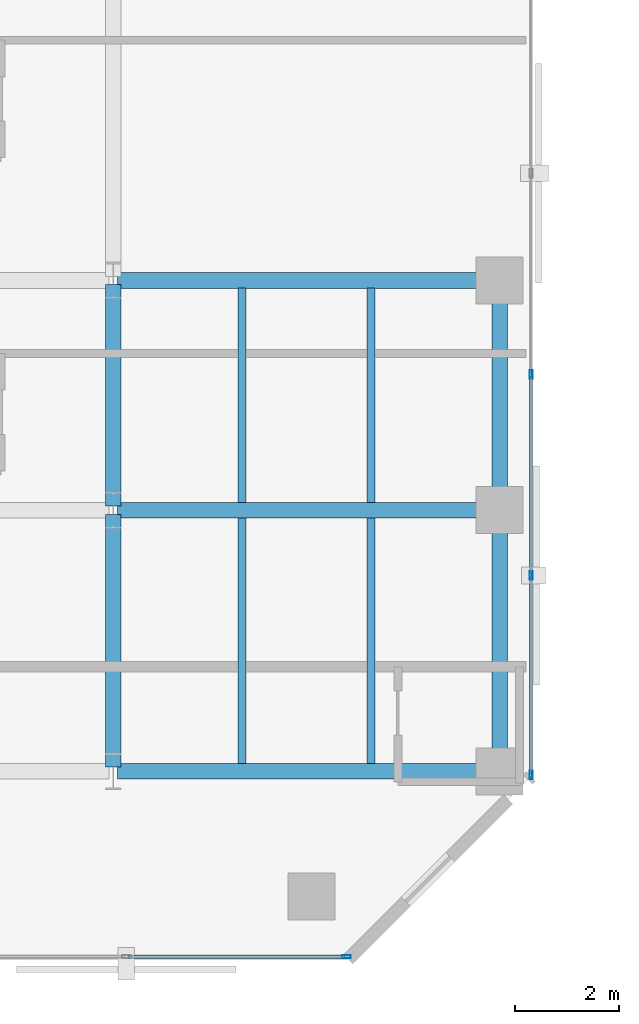
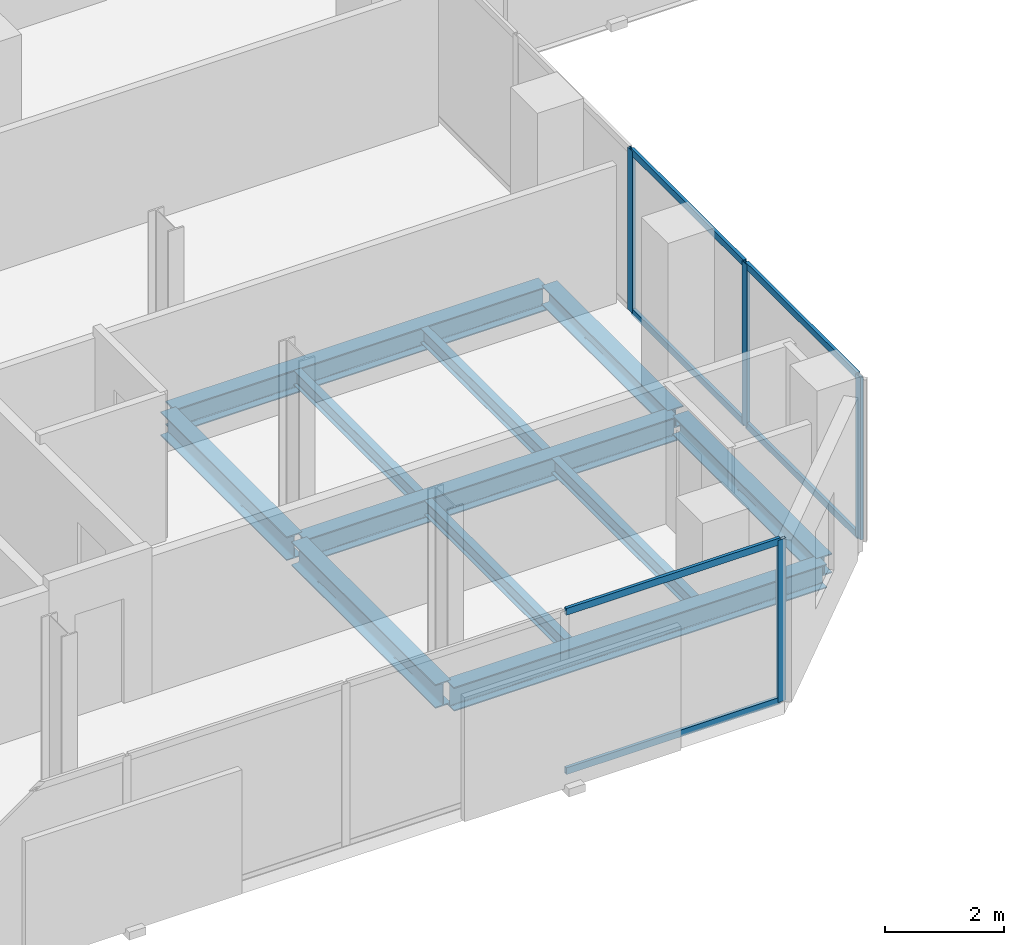
# One storey, part 7 of 34: 11 beams, 10 members, 2 elements without a shape of their own.
"""IFC4 building model written with IfcOpenShell, lengths in metres."""

from ifc_helpers import new_model, si_unit, direction, frame, origin, origin_2d, place, context, subcontext, project, spatial, hollow_rectangle, i_section, extrude, material, layer, layer_set, material_profile, profile_set, type_object, element, aggregate, save


model = new_model("IFC4")

# Units and contexts
model_context = context("Model", 3, precision=1e-05, world=origin(), true_north=direction((0.0, 1.0)))
body_context = subcontext(model_context, "Body", "Model", "MODEL_VIEW")
ifc_project = project(units=[si_unit("LENGTHUNIT", "METRE"), si_unit("AREAUNIT", "SQUARE_METRE"), si_unit("VOLUMEUNIT", "CUBIC_METRE"), si_unit("PLANEANGLEUNIT", "RADIAN"), si_unit("MASSUNIT", "GRAM", prefix="KILO")], contexts=[model_context])

# Site, building, storey
site_placement = place(None, origin())
site = spatial("IfcSite", under=ifc_project, at=site_placement, CompositionType="ELEMENT")
building_placement = place(site_placement, origin())
building = spatial("IfcBuilding", under=site, at=building_placement, Name="Catumbela Crestline Tower", CompositionType="ELEMENT")
storey_placement = place(building_placement, frame((0.0, 0.0, 97.2)))
storey = spatial("IfcBuildingStorey", under=building, at=storey_placement, Name="L24", CompositionType="ELEMENT", Elevation=97.2)

# Beams
ifc_material_1 = material(Name="Structural steel S355J2", Category="steel")
ifc_material_profile_1 = material_profile(ifc_material_1, i_section(OverallWidth=0.3, OverallDepth=0.49, WebThickness=0.012, FlangeThickness=0.023, FilletRadius=0.027, at=origin_2d()), Name="HEA 500")
ifc_profile_set_1 = profile_set([ifc_material_profile_1], Name="Structural steel S355J2")
beam_type_1 = type_object("IfcBeamType", Name="BG-HEA500", PredefinedType="BEAM", material=ifc_profile_set_1)
for number, where, z_axis, x_axis, name in (
    (1, (16.08, 8.6, -0.505), (1.0, 0.0, 0.0), (0.0, 1.0, 0.0), "L24 Beam BM-L24-WEW45"),
    (2, (16.08, 13.6, -0.505), (1.0, 0.0, 0.0), (0.0, 1.0, 0.0), "L24 Beam BM-L24-WEW48"),
    (3, (16.08, 18.0, -0.505), (1.0, 0.0, 0.0), (0.0, 1.0, 0.0), "L24 Beam BM-L24-WEW51"),
):
    element("IfcBeam", number, at=place(storey_placement, frame(where, z_axis=z_axis, x_axis=x_axis)), inside=storey, type_object=beam_type_1, Name=name, PredefinedType="BEAM", context=body_context, shape_type="SweptSolid", body=[
        extrude(i_section(OverallWidth=0.3, OverallDepth=0.49, WebThickness=0.012, FlangeThickness=0.023, FilletRadius=0.027, at=origin_2d()), origin(), (0.0, 0.0, 1.0), 7.24),
    ])
beam_1_placement = place(storey_placement, frame((16.0, 8.68, -0.505), z_axis=(0.0, 1.0, 0.0), x_axis=(-1.0, 0.0, 0.0)))
element("IfcBeam", 4, at=beam_1_placement, inside=storey, type_object=beam_type_1, Name="L24 Beam BM-L24-WNS58", PredefinedType="BEAM", context=body_context, shape_type="SweptSolid", body=[
    extrude(i_section(OverallWidth=0.3, OverallDepth=0.49, WebThickness=0.012, FlangeThickness=0.023, FilletRadius=0.027, at=origin_2d()), origin(), (0.0, 0.0, 1.0), 4.84),
])
beam_2_placement = place(storey_placement, frame((16.0, 13.68, -0.505), z_axis=(0.0, 1.0, 0.0), x_axis=(-1.0, 0.0, 0.0)))
element("IfcBeam", 5, at=beam_2_placement, inside=storey, type_object=beam_type_1, Name="L24 Beam BM-L24-WNS59", PredefinedType="BEAM", context=body_context, shape_type="SweptSolid", body=[
    extrude(i_section(OverallWidth=0.3, OverallDepth=0.49, WebThickness=0.012, FlangeThickness=0.023, FilletRadius=0.027, at=origin_2d()), origin(), (0.0, 0.0, 1.0), 4.24),
])
ifc_material_profile_2 = material_profile(ifc_material_1, i_section(OverallWidth=0.15, OverallDepth=0.3, WebThickness=0.0071, FlangeThickness=0.0107, FilletRadius=0.015, at=origin_2d()), Name="IPE 300")
ifc_profile_set_2 = profile_set([ifc_material_profile_2], Name="Structural steel S355J2")
beam_type_2 = type_object("IfcBeamType", Name="BJ-IPE300", PredefinedType="JOIST", material=ifc_profile_set_2)
for number, where, z_axis, x_axis, name in (
    (6, (18.467, 8.747, -0.41), (0.0, 1.0, 0.0), (-1.0, 0.0, 0.0), "L24 Joist JS-L24-WG67"),
    (7, (20.933, 8.747, -0.41), (0.0, 1.0, 0.0), (-1.0, 0.0, 0.0), "L24 Joist JS-L24-WG68"),
):
    element("IfcBeam", number, at=place(storey_placement, frame(where, z_axis=z_axis, x_axis=x_axis)), inside=storey, type_object=beam_type_2, Name=name, PredefinedType="JOIST", context=body_context, shape_type="SweptSolid", body=[
        extrude(i_section(OverallWidth=0.15, OverallDepth=0.3, WebThickness=0.0071, FlangeThickness=0.0107, FilletRadius=0.015, at=origin_2d()), origin(), (0.0, 0.0, 1.0), 4.706),
    ])
for number, where, z_axis, x_axis, name in (
    (8, (18.467, 13.747, -0.41), (0.0, 1.0, 0.0), (-1.0, 0.0, 0.0), "L24 Joist JS-L24-WG73"),
    (9, (20.933, 13.747, -0.41), (0.0, 1.0, 0.0), (-1.0, 0.0, 0.0), "L24 Joist JS-L24-WG74"),
):
    element("IfcBeam", number, at=place(storey_placement, frame(where, z_axis=z_axis, x_axis=x_axis)), inside=storey, type_object=beam_type_2, Name=name, PredefinedType="JOIST", context=body_context, shape_type="SweptSolid", body=[
        extrude(i_section(OverallWidth=0.15, OverallDepth=0.3, WebThickness=0.0071, FlangeThickness=0.0107, FilletRadius=0.015, at=origin_2d()), origin(), (0.0, 0.0, 1.0), 4.106),
    ])

# Curtain wall, member
ifc_material_2 = material(Name="Aluminium alloy AW-6060-T66", Category="aluminium")
ifc_layer = layer(ifc_material_2, 0.18, Name="Aluminium alloy AW-6060-T66")
ifc_layer_set = layer_set([ifc_layer], Name="Aluminium alloy AW-6060-T66")
curtain_wall_type = type_object("IfcCurtainWallType", Name="CWU-Z2", PredefinedType="USERDEFINED", material=ifc_layer_set)
curtain_wall_1_placement = place(storey_placement, origin())
curtain_wall_1 = element("IfcCurtainWall", 10, at=curtain_wall_1_placement, inside=storey, type_object=curtain_wall_type, Name="L24 Unitised Curtain Wall CW-L24-E0S1", ObjectType="UNITISED", PredefinedType="USERDEFINED")
ifc_material_profile_3 = material_profile(ifc_material_2, hollow_rectangle(XDim=0.06, YDim=0.16, WallThickness=0.004, at=origin_2d()), Name="ALU 160x60x4")
ifc_profile_set_3 = profile_set([ifc_material_profile_3], Name="Aluminium alloy AW-6060-T66")
member_type_1 = type_object("IfcMemberType", Name="MUL-160X60", PredefinedType="MULLION", material=ifc_profile_set_3)
member_1_placement = place(storey_placement, frame((20.4675, 5.05, 0.0), z_axis=(0.0, 0.0, 1.0), x_axis=(0.0, 1.0, 0.0)))
member_1 = element("IfcMember", 11, at=member_1_placement, type_object=member_type_1, Name="CWU-Z2 mullion 5", PredefinedType="MULLION", context=body_context, shape_type="SweptSolid", body=[
    extrude(hollow_rectangle(XDim=0.06, YDim=0.16, WallThickness=0.004, at=origin_2d()), origin(), (0.0, 0.0, 1.0), 3.33),
])

# Curtain wall, members
curtain_wall_2_placement = place(storey_placement, origin())
curtain_wall_2 = element("IfcCurtainWall", 12, at=curtain_wall_2_placement, inside=storey, type_object=curtain_wall_type, Name="L24 Unitised Curtain Wall CW-L24-E2S1", ObjectType="UNITISED", PredefinedType="USERDEFINED")
member_2_placement = place(storey_placement, frame((24.0, 8.5325, 0.0), z_axis=(0.0, 0.0, 1.0), x_axis=(-1.0, 0.0, 0.0)))
member_2 = element("IfcMember", 13, at=member_2_placement, type_object=member_type_1, Name="CWU-Z2 mullion 1", PredefinedType="MULLION", context=body_context, shape_type="SweptSolid", body=[
    extrude(hollow_rectangle(XDim=0.06, YDim=0.16, WallThickness=0.004, at=origin_2d()), origin(), (0.0, 0.0, 1.0), 3.33),
])
member_3_placement = place(storey_placement, frame((24.0, 12.35, 0.0), z_axis=(0.0, 0.0, 1.0), x_axis=(-1.0, 0.0, 0.0)))
member_3 = element("IfcMember", 14, at=member_3_placement, type_object=member_type_1, Name="CWU-Z2 mullion 2", PredefinedType="MULLION", context=body_context, shape_type="SweptSolid", body=[
    extrude(hollow_rectangle(XDim=0.06, YDim=0.16, WallThickness=0.004, at=origin_2d()), origin(), (0.0, 0.0, 1.0), 3.33),
])
member_4_placement = place(storey_placement, frame((24.0, 16.2, 0.0), z_axis=(0.0, 0.0, 1.0), x_axis=(-1.0, 0.0, 0.0)))
member_4 = element("IfcMember", 15, at=member_4_placement, type_object=member_type_1, Name="CWU-Z2 mullion 3", PredefinedType="MULLION", context=body_context, shape_type="SweptSolid", body=[
    extrude(hollow_rectangle(XDim=0.06, YDim=0.16, WallThickness=0.004, at=origin_2d()), origin(), (0.0, 0.0, 1.0), 3.33),
])

# Beams
ifc_material_profile_4 = material_profile(ifc_material_1, i_section(OverallWidth=0.3, OverallDepth=0.4, WebThickness=0.0135, FlangeThickness=0.024, FilletRadius=0.027, at=origin_2d()), Name="HEB 400")
ifc_profile_set_4 = profile_set([ifc_material_profile_4], Name="Structural steel S355J2")
beam_type_3 = type_object("IfcBeamType", Name="BS-HEB400", PredefinedType="SPANDREL", material=ifc_profile_set_4)
beam_3_placement = place(storey_placement, frame((23.4, 8.68, -0.46), z_axis=(0.0, 1.0, 0.0), x_axis=(-1.0, 0.0, 0.0)))
element("IfcBeam", 16, at=beam_3_placement, inside=storey, type_object=beam_type_3, Name="L24 Spandrel SP-L24-WNS61", PredefinedType="SPANDREL", context=body_context, shape_type="SweptSolid", body=[
    extrude(i_section(OverallWidth=0.3, OverallDepth=0.4, WebThickness=0.0135, FlangeThickness=0.024, FilletRadius=0.027, at=origin_2d()), origin(), (0.0, 0.0, 1.0), 4.84),
])
beam_4_placement = place(storey_placement, frame((23.4, 13.68, -0.46), z_axis=(0.0, 1.0, 0.0), x_axis=(-1.0, 0.0, 0.0)))
element("IfcBeam", 17, at=beam_4_placement, inside=storey, type_object=beam_type_3, Name="L24 Spandrel SP-L24-WNS62", PredefinedType="SPANDREL", context=body_context, shape_type="SweptSolid", body=[
    extrude(i_section(OverallWidth=0.3, OverallDepth=0.4, WebThickness=0.0135, FlangeThickness=0.024, FilletRadius=0.027, at=origin_2d()), origin(), (0.0, 0.0, 1.0), 4.24),
])

# Member
ifc_material_profile_5 = material_profile(ifc_material_2, hollow_rectangle(XDim=0.06, YDim=0.14, WallThickness=0.004, at=origin_2d()), Name="ALU 140x60x4")
ifc_profile_set_5 = profile_set([ifc_material_profile_5], Name="Aluminium alloy AW-6060-T66")
member_type_2 = type_object("IfcMemberType", Name="TRN-140X60", PredefinedType="USERDEFINED", material=ifc_profile_set_5)
member_5_placement = place(storey_placement, frame((16.2825, 5.05, 0.03), z_axis=(1.0, 0.0, 0.0), x_axis=(0.0, 1.0, 0.0)))
member_5 = element("IfcMember", 18, at=member_5_placement, type_object=member_type_2, Name="CWU-Z2 transom 4.1", ObjectType="TRANSOM", PredefinedType="USERDEFINED", context=body_context, shape_type="SweptSolid", body=[
    extrude(hollow_rectangle(XDim=0.06, YDim=0.14, WallThickness=0.004, at=origin_2d()), origin(), (0.0, 0.0, 1.0), 4.1525),
])

member_6_placement = place(storey_placement, frame((16.2825, 5.05, 3.3), z_axis=(1.0, 0.0, 0.0), x_axis=(0.0, 1.0, 0.0)))
member_6 = element("IfcMember", 19, at=member_6_placement, type_object=member_type_2, Name="CWU-Z2 transom 4.2", ObjectType="TRANSOM", PredefinedType="USERDEFINED", context=body_context, shape_type="SweptSolid", body=[
    extrude(hollow_rectangle(XDim=0.06, YDim=0.14, WallThickness=0.004, at=origin_2d()), origin(), (0.0, 0.0, 1.0), 4.1525),
])

aggregate(curtain_wall_1, [member_1, member_5, member_6])

member_7_placement = place(storey_placement, frame((24.0, 8.565, 0.03), z_axis=(0.0, 1.0, 0.0), x_axis=(-1.0, 0.0, 0.0)))
member_7 = element("IfcMember", 20, at=member_7_placement, type_object=member_type_2, Name="CWU-Z2 transom 1.1", ObjectType="TRANSOM", PredefinedType="USERDEFINED", context=body_context, shape_type="SweptSolid", body=[
    extrude(hollow_rectangle(XDim=0.06, YDim=0.14, WallThickness=0.004, at=origin_2d()), origin(), (0.0, 0.0, 1.0), 3.7525),
])

member_8_placement = place(storey_placement, frame((24.0, 8.565, 3.3), z_axis=(0.0, 1.0, 0.0), x_axis=(-1.0, 0.0, 0.0)))
member_8 = element("IfcMember", 21, at=member_8_placement, type_object=member_type_2, Name="CWU-Z2 transom 1.2", ObjectType="TRANSOM", PredefinedType="USERDEFINED", context=body_context, shape_type="SweptSolid", body=[
    extrude(hollow_rectangle(XDim=0.06, YDim=0.14, WallThickness=0.004, at=origin_2d()), origin(), (0.0, 0.0, 1.0), 3.7525),
])

member_9_placement = place(storey_placement, frame((24.0, 12.3825, 0.03), z_axis=(0.0, 1.0, 0.0), x_axis=(-1.0, 0.0, 0.0)))
member_9 = element("IfcMember", 22, at=member_9_placement, type_object=member_type_2, Name="CWU-Z2 transom 2.1", ObjectType="TRANSOM", PredefinedType="USERDEFINED", context=body_context, shape_type="SweptSolid", body=[
    extrude(hollow_rectangle(XDim=0.06, YDim=0.14, WallThickness=0.004, at=origin_2d()), origin(), (0.0, 0.0, 1.0), 3.785),
])

member_10_placement = place(storey_placement, frame((24.0, 12.3825, 3.3), z_axis=(0.0, 1.0, 0.0), x_axis=(-1.0, 0.0, 0.0)))
member_10 = element("IfcMember", 23, at=member_10_placement, type_object=member_type_2, Name="CWU-Z2 transom 2.2", ObjectType="TRANSOM", PredefinedType="USERDEFINED", context=body_context, shape_type="SweptSolid", body=[
    extrude(hollow_rectangle(XDim=0.06, YDim=0.14, WallThickness=0.004, at=origin_2d()), origin(), (0.0, 0.0, 1.0), 3.785),
])

aggregate(curtain_wall_2, [member_2, member_3, member_4, member_7, member_8, member_9, member_10])

save(model, "model.ifc")
